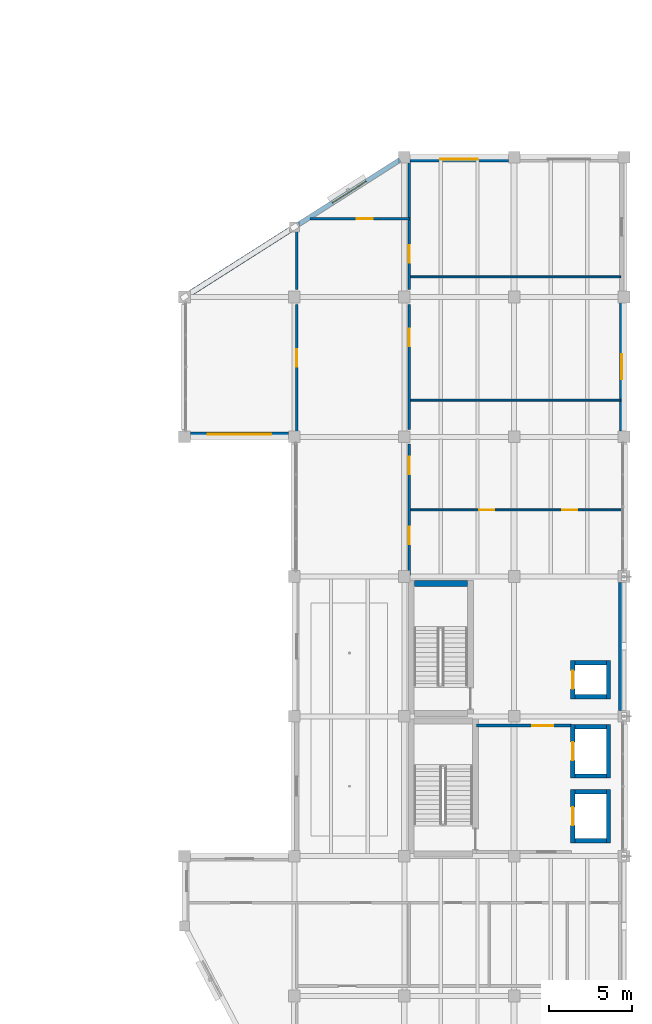
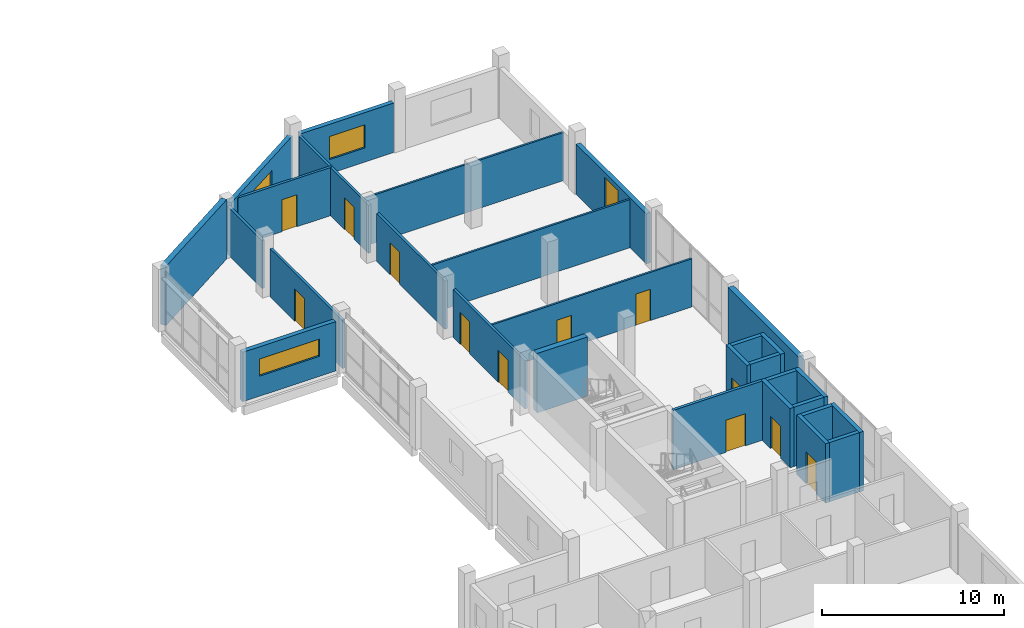
# One storey, part 10 of 19: 29 walls, 12 doors, 4 windows, 16 openings.
"""IFC4 building model written with IfcOpenShell, lengths in metres."""

from ifc_helpers import new_model, si_unit, direction, frame, frame_2d, origin, place, context, subcontext, project, spatial, rectangle, extrude, material, layer, layer_set, type_object, element, fill, save


model = new_model("IFC4")

# Units and contexts
model_context = context("Model", 3, precision=1e-05, world=origin(), true_north=direction((0.0, 1.0)))
body_context = subcontext(model_context, "Body", "Model", "MODEL_VIEW")
ifc_project = project(units=[si_unit("LENGTHUNIT", "METRE"), si_unit("AREAUNIT", "SQUARE_METRE"), si_unit("VOLUMEUNIT", "CUBIC_METRE"), si_unit("PLANEANGLEUNIT", "RADIAN"), si_unit("MASSUNIT", "GRAM", prefix="KILO")], contexts=[model_context])

# Site, building, storey
site_placement = place(None, origin())
site = spatial("IfcSite", under=ifc_project, at=site_placement, CompositionType="ELEMENT")
building_placement = place(site_placement, origin())
building = spatial("IfcBuilding", under=site, at=building_placement, Name="Qaldarim Faculty of Natural and Applied Sciences", CompositionType="ELEMENT")
storey_placement = place(building_placement, frame((0.0, 0.0, 27.0)))
storey = spatial("IfcBuildingStorey", under=building, at=storey_placement, Name="L06", CompositionType="ELEMENT", Elevation=27.0)

# Walls
ifc_material_1 = material(Name="Painted gypsum partition board")
ifc_layer_1 = layer(ifc_material_1, 0.1201171875)
ifc_layer_set_1 = layer_set([ifc_layer_1], Name="Painted gypsum partition board")
wall_type_1 = type_object("IfcWallType", Name="AcousticPartition-120", PredefinedType="PARTITIONING", material=ifc_layer_set_1)
for number, where, z_axis, x_axis, name in (
    (1, (165.300048828125, 44.199951171875, 0.0), (0.0, 0.0, 1.0), (1.0, 0.0, 0.0), "Interior partition PRT-L06-U-D1"),
    (2, (165.300048828125, 51.60009765625, 0.0), (0.0, 0.0, 1.0), (1.0, 0.0, 0.0), "Interior partition PRT-L06-U-D2"),
):
    element("IfcWall", number, at=place(storey_placement, frame(where, z_axis=z_axis, x_axis=x_axis)), inside=storey, type_object=wall_type_1, Name=name, PredefinedType="PARTITIONING", context=body_context, shape_type="SweptSolid", body=[
        extrude(rectangle(XDim=12.699951171875, YDim=0.1201171875, at=frame_2d((6.35009765625, 0.0))), origin(), (0.0, 0.0, 1.0), 3.22998046875),
    ])

# Wall, openings, doors
wall_1_placement = place(storey_placement, frame((165.300048828125, 37.60009765625, 0.0), z_axis=(0.0, 0.0, 1.0), x_axis=(1.0, 0.0, 0.0)))
wall_1 = element("IfcWall", 3, at=wall_1_placement, inside=storey, type_object=wall_type_1, Name="Interior partition PRT-L06-V5-USUB-1", PredefinedType="PARTITIONING", context=body_context, shape_type="SweptSolid", body=[
    extrude(rectangle(XDim=12.75, YDim=0.1201171875, at=frame_2d((6.375, 0.0))), origin(), (0.0, 0.0, 1.0), 3.22998046875),
])
opening_1_placement = place(wall_1_placement, frame((4.199951171875, 0.0, 0.0)))
opening_1 = element("IfcOpeningElement", 4, at=opening_1_placement, cuts=wall_1, Name="Opening ID07", PredefinedType="OPENING", context=body_context, shape_type="SweptSolid", body=[
    extrude(rectangle(XDim=0.89990234375, YDim=2.10009765625, at=frame_2d((0.449951171875, 1.050048828125))), frame((0.0, 0.070068359375, 0.0), z_axis=(0.0, -1.0, 0.0), x_axis=(1.0, 0.0, 0.0)), (0.0, 0.0, 1.0), 0.14013671875),
])
opening_2_placement = place(wall_1_placement, frame((9.199951171875, 0.0, 0.0)))
opening_2 = element("IfcOpeningElement", 5, at=opening_2_placement, cuts=wall_1, Name="Opening ID07", PredefinedType="OPENING", context=body_context, shape_type="SweptSolid", body=[
    extrude(rectangle(XDim=0.89990234375, YDim=2.10009765625, at=frame_2d((0.449951171875, 1.050048828125))), frame((0.0, 0.070068359375, 0.0), z_axis=(0.0, -1.0, 0.0), x_axis=(1.0, 0.0, 0.0)), (0.0, 0.0, 1.0), 0.14013671875),
])
ifc_material_2 = material(Name="Oak hardwood", Category="wood")
door_type_1 = type_object("IfcDoorType", Name="OfficeStudyDoor-900x2100", OperationType="NOTDEFINED", PredefinedType="DOOR", material=ifc_material_2)
door_1_placement = place(opening_1_placement, origin())
door_1 = element("IfcDoor", 6, at=door_1_placement, inside=storey, type_object=door_type_1, Name="Interior door D-L06-354", OperationType="SINGLE_SWING_LEFT", OverallHeight=2.10009765625, OverallWidth=0.89990234375, PredefinedType="DOOR", context=body_context, shape_type="SweptSolid", body=[
    extrude(rectangle(XDim=0.89990234375, YDim=2.10009765625, at=frame_2d((0.449951171875, 1.050048828125))), frame((0.0, 0.02490234375, 0.0), z_axis=(0.0, -1.0, 0.0), x_axis=(1.0, 0.0, 0.0)), (0.0, 0.0, 1.0), 0.050048828125),
])
fill(opening_1, door_1)
door_2_placement = place(opening_2_placement, origin())
door_2 = element("IfcDoor", 7, at=door_2_placement, inside=storey, type_object=door_type_1, Name="Interior door D-L06-355", OperationType="SINGLE_SWING_RIGHT", OverallHeight=2.10009765625, OverallWidth=0.89990234375, PredefinedType="DOOR", context=body_context, shape_type="SweptSolid", body=[
    extrude(rectangle(XDim=0.89990234375, YDim=2.10009765625, at=frame_2d((0.449951171875, 1.050048828125))), frame((0.0, 0.02490234375, 0.0), z_axis=(0.0, -1.0, 0.0), x_axis=(1.0, 0.0, 0.0)), (0.0, 0.0, 1.0), 0.050048828125),
])
fill(opening_2, door_2)

# Wall
ifc_material_3 = material(Name="Concrete C50/60", Category="concrete")
ifc_layer_2 = layer(ifc_material_3, 0.360107421875)
ifc_layer_set_2 = layer_set([ifc_layer_2], Name="Concrete C50/60")
wall_type_2 = type_object("IfcWallType", Name="CoreShearWall-360", PredefinedType="SHEAR", material=ifc_layer_set_2)
wall_2_placement = place(storey_placement, frame((165.60009765625, 33.179931640625, 0.0), z_axis=(0.0, 0.0, 1.0), x_axis=(1.0, 0.0, 0.0)))
element("IfcWall", 8, at=wall_2_placement, inside=storey, type_object=wall_type_2, Name="Core stair ST-A2 north shear wall L06", PredefinedType="SHEAR", context=body_context, shape_type="SweptSolid", body=[
    extrude(rectangle(XDim=3.199951171875, YDim=0.360107421875, at=frame_2d((1.60009765625, 0.0))), origin(), (0.0, 0.0, 1.0), 3.97998046875),
])

# Wall, opening, window
ifc_material_4 = material(Name="Precast concrete C40/50", Category="concrete")
ifc_layer_3 = layer(ifc_material_4, 0.280029296875)
ifc_layer_set_3 = layer_set([ifc_layer_3], Name="Precast concrete C40/50")
wall_type_3 = type_object("IfcWallType", Name="ExteriorSpandrelWall-280", PredefinedType="SOLIDWALL", material=ifc_layer_set_3)
wall_3_placement = place(storey_placement, frame((152.14501953125, 42.139892578125, 0.0), z_axis=(0.0, 0.0, 1.0), x_axis=(1.0, 0.0, 0.0)))
wall_3 = element("IfcWall", 9, at=wall_3_placement, inside=storey, type_object=wall_type_3, Name="Exterior wall EW02 L06 S X24Y06", PredefinedType="SOLIDWALL", context=body_context, shape_type="SweptSolid", body=[
    extrude(rectangle(XDim=5.909912109375, YDim=0.280029296875, at=frame_2d((2.955078125, 0.0))), origin(), (0.0, 0.0, 1.0), 3.31494140625),
])
opening_3_placement = place(wall_3_placement, frame((1.054931640625, 0.0, 1.35009765625)))
opening_3 = element("IfcOpeningElement", 10, at=opening_3_placement, cuts=wall_3, Name="Opening WN24", PredefinedType="OPENING", context=body_context, shape_type="SweptSolid", body=[
    extrude(rectangle(XDim=3.800048828125, YDim=1.14990234375, at=frame_2d((1.89990234375, 0.574951171875))), frame((0.0, 0.14990234375, 0.0), z_axis=(0.0, -1.0, 0.0), x_axis=(1.0, 0.0, 0.0)), (0.0, 0.0, 1.0), 0.300048828125),
])
ifc_material_5 = material(Name="Insulated low-e double glazing", Category="glass")
window_type_1 = type_object("IfcWindowType", Name="ClerestoryWindow-3800x1150", PartitioningType="TRIPLE_PANEL_HORIZONTAL", PredefinedType="WINDOW", material=ifc_material_5)
window_1_placement = place(opening_3_placement, origin())
window_1 = element("IfcWindow", 11, at=window_1_placement, inside=storey, type_object=window_type_1, Name="Facade window WN24 L06 S X24Y06", OverallHeight=1.14990234375, OverallWidth=3.800048828125, PartitioningType="SINGLE_PANEL", PredefinedType="WINDOW", context=body_context, shape_type="SweptSolid", body=[
    extrude(rectangle(XDim=3.800048828125, YDim=1.14990234375, at=frame_2d((1.89990234375, 0.574951171875))), frame((0.0, 0.030029296875, 0.0), z_axis=(0.0, -1.0, 0.0), x_axis=(1.0, 0.0, 0.0)), (0.0, 0.0, 1.0), 0.06005859375),
])
fill(opening_3, window_1)

wall_4_placement = place(storey_placement, frame((171.2548828125, 58.659912109375, 0.0), z_axis=(0.0, 0.0, 1.0), x_axis=(-1.0, 0.0, 0.0)))
wall_4 = element("IfcWall", 12, at=wall_4_placement, inside=storey, type_object=wall_type_3, Name="Exterior wall EW02 L06 N X26Y07", PredefinedType="SOLIDWALL", context=body_context, shape_type="SweptSolid", body=[
    extrude(rectangle(XDim=5.909912109375, YDim=0.280029296875, at=frame_2d((2.955078125, 0.0))), origin(), (0.0, 0.0, 1.0), 3.31494140625),
])
opening_4_placement = place(wall_4_placement, frame((1.830078125, 0.0, 0.949951171875)))
opening_4 = element("IfcOpeningElement", 13, at=opening_4_placement, cuts=wall_4, Name="Opening WN12", PredefinedType="OPENING", context=body_context, shape_type="SweptSolid", body=[
    extrude(rectangle(XDim=2.25, YDim=1.550048828125, at=frame_2d((1.125, 0.77490234375))), frame((0.0, 0.14990234375, 0.0), z_axis=(0.0, -1.0, 0.0), x_axis=(1.0, 0.0, 0.0)), (0.0, 0.0, 1.0), 0.300048828125),
])
window_type_2 = type_object("IfcWindowType", Name="LabWindow-2250x1550", PartitioningType="TRIPLE_PANEL_VERTICAL", PredefinedType="WINDOW", material=ifc_material_5)
window_2_placement = place(opening_4_placement, origin())
window_2 = element("IfcWindow", 14, at=window_2_placement, inside=storey, type_object=window_type_2, Name="Facade window WN12 L06 N X26Y07", OverallHeight=1.550048828125, OverallWidth=2.25, PartitioningType="SINGLE_PANEL", PredefinedType="WINDOW", context=body_context, shape_type="SweptSolid", body=[
    extrude(rectangle(XDim=2.25, YDim=1.550048828125, at=frame_2d((1.125, 0.77490234375))), frame((0.0, 0.030029296875, 0.0), z_axis=(0.0, -1.0, 0.0), x_axis=(1.0, 0.0, 0.0)), (0.0, 0.0, 1.0), 0.06005859375),
])
fill(opening_4, window_2)

wall_5_placement = place(storey_placement, frame((178.06005859375, 42.344970703125, 0.0), z_axis=(0.0, 0.0, 1.0), x_axis=(0.0, 1.0, 0.0)))
wall_5 = element("IfcWall", 15, at=wall_5_placement, inside=storey, type_object=wall_type_3, Name="Exterior wall EW02 L06 E X27Y06", PredefinedType="SOLIDWALL", context=body_context, shape_type="SweptSolid", body=[
    extrude(rectangle(XDim=7.7099609375, YDim=0.280029296875, at=frame_2d((3.85498046875, 0.0))), origin(), (0.0, 0.0, 1.0), 3.364990234375),
])
opening_5_placement = place(wall_5_placement, frame((3.10498046875, 0.0, 0.949951171875)))
opening_5 = element("IfcOpeningElement", 16, at=opening_5_placement, cuts=wall_5, Name="Opening WN06", PredefinedType="OPENING", context=body_context, shape_type="SweptSolid", body=[
    extrude(rectangle(XDim=1.5, YDim=2.10009765625, at=frame_2d((0.75, 1.050048828125))), frame((0.0, 0.14990234375, 0.0), z_axis=(0.0, -1.0, 0.0), x_axis=(1.0, 0.0, 0.0)), (0.0, 0.0, 1.0), 0.300048828125),
])
window_type_3 = type_object("IfcWindowType", Name="Window-1500x2100", PartitioningType="DOUBLE_PANEL_VERTICAL", PredefinedType="WINDOW", material=ifc_material_5)
window_3_placement = place(opening_5_placement, origin())
window_3 = element("IfcWindow", 17, at=window_3_placement, inside=storey, type_object=window_type_3, Name="Facade window WN06 L06 E X27Y06", OverallHeight=2.10009765625, OverallWidth=1.5, PartitioningType="SINGLE_PANEL", PredefinedType="WINDOW", context=body_context, shape_type="SweptSolid", body=[
    extrude(rectangle(XDim=1.5, YDim=2.10009765625, at=frame_2d((0.75, 1.050048828125))), frame((0.0, 0.030029296875, 0.0), z_axis=(0.0, -1.0, 0.0), x_axis=(1.0, 0.0, 0.0)), (0.0, 0.0, 1.0), 0.06005859375),
])
fill(opening_5, window_3)

wall_6_placement = place(storey_placement, frame((158.64990234375, 54.760009765625, 0.0), z_axis=(0.0, 0.0, 1.0), x_axis=(0.843786613851, 0.536678814829, 0.0)))
wall_6 = element("IfcWall", 18, at=wall_6_placement, inside=storey, type_object=wall_type_3, Name="Oblique NW chamfer fenestrated wall L06 2", PredefinedType="SOLIDWALL", context=body_context, shape_type="SweptSolid", body=[
    extrude(rectangle(XDim=7.2294921875, YDim=0.280029296875, at=frame_2d((3.61474609375, 0.0))), origin(), (0.0, 0.0, 1.0), 3.364990234375),
])
opening_6_placement = place(wall_6_placement, frame((2.4150390625, 0.0, 0.949951171875)))
opening_6 = element("IfcOpeningElement", 19, at=opening_6_placement, cuts=wall_6, Name="Opening WN03", PredefinedType="OPENING", context=body_context, shape_type="SweptSolid", body=[
    extrude(rectangle(XDim=2.39990234375, YDim=1.60009765625, at=frame_2d((1.199951171875, 0.800048828125))), frame((0.0, 0.14990234375, 0.0), z_axis=(0.0, -1.0, 0.0), x_axis=(1.0, 0.0, 0.0)), (0.0, 0.0, 1.0), 0.300048828125),
])
window_type_4 = type_object("IfcWindowType", Name="Window-2400x1600", PartitioningType="TRIPLE_PANEL_VERTICAL", PredefinedType="WINDOW", material=ifc_material_5)
window_4_placement = place(opening_6_placement, origin())
window_4 = element("IfcWindow", 20, at=window_4_placement, inside=storey, type_object=window_type_4, Name="Oblique NW chamfer window L06 2", OverallHeight=1.60009765625, OverallWidth=2.39990234375, PartitioningType="SINGLE_PANEL", PredefinedType="WINDOW", context=body_context, shape_type="SweptSolid", body=[
    extrude(rectangle(XDim=2.39990234375, YDim=1.60009765625, at=frame_2d((1.199951171875, 0.800048828125))), frame((0.0, 0.030029296875, 0.0), z_axis=(0.0, -1.0, 0.0), x_axis=(1.0, 0.0, 0.0)), (0.0, 0.0, 1.0), 0.06005859375),
])
fill(opening_6, window_4)

# Walls
ifc_layer_4 = layer(ifc_material_3, 0.340087890625)
ifc_layer_set_4 = layer_set([ifc_layer_4], Name="Concrete C50/60")
wall_type_4 = type_object("IfcWallType", Name="ExteriorStairShearWall-340", PredefinedType="SHEAR", material=ifc_layer_set_4)
wall_7_placement = place(storey_placement, frame((178.030029296875, 25.544921875, 0.0), z_axis=(0.0, 0.0, 1.0), x_axis=(0.0, 1.0, 0.0)))
element("IfcWall", 21, at=wall_7_placement, inside=storey, type_object=wall_type_4, Name="Exterior wall EW05 L06 E X27Y04", PredefinedType="SHEAR", context=body_context, shape_type="SweptSolid", body=[
    extrude(rectangle(XDim=7.7099609375, YDim=0.340087890625, at=frame_2d((3.85498046875, 0.0))), origin(), (0.0, 0.0, 1.0), 3.97998046875),
])
wall_8_placement = place(storey_placement, frame((152.050048828125, 50.56005859375, 0.0), z_axis=(0.0, 0.0, 1.0), x_axis=(0.843776886751, 0.536694107835, 0.0)))
element("IfcWall", 22, at=wall_8_placement, inside=storey, type_object=wall_type_4, Name="Oblique NW chamfer braced wall L06 1", PredefinedType="SHEAR", context=body_context, shape_type="SweptSolid", body=[
    extrude(rectangle(XDim=7.229248046875, YDim=0.340087890625, at=frame_2d((3.61474609375, 0.0))), origin(), (0.0, 0.0, 1.0), 3.97998046875),
])

# Wall, openings, doors
ifc_material_6 = material(Name="Concrete C40/50", Category="concrete")
ifc_layer_5 = layer(ifc_material_6, 0.159912109375)
ifc_layer_set_5 = layer_set([ifc_layer_5], Name="Concrete C40/50")
wall_type_5 = type_object("IfcWallType", Name="FireCorridorWall-160", PredefinedType="PARTITIONING", material=ifc_layer_set_5)
wall_9_placement = place(storey_placement, frame((165.300048828125, 33.64990234375, 0.0), z_axis=(0.0, 0.0, 1.0), x_axis=(0.0, 1.0, 0.0)))
wall_9 = element("IfcWall", 23, at=wall_9_placement, inside=storey, type_object=wall_type_5, Name="Interior partition PRT-L06-U-NW-S1", PredefinedType="PARTITIONING", context=body_context, shape_type="SweptSolid", body=[
    extrude(rectangle(XDim=7.900146484375, YDim=0.159912109375, at=frame_2d((3.9501953125, 0.0))), origin(), (0.0, 0.0, 1.0), 3.22998046875),
])
opening_7_placement = place(wall_9_placement, frame((1.89990234375, 0.0, 0.0)))
opening_7 = element("IfcOpeningElement", 24, at=opening_7_placement, cuts=wall_9, Name="Opening ID02", PredefinedType="OPENING", context=body_context, shape_type="SweptSolid", body=[
    extrude(rectangle(XDim=1.050048828125, YDim=2.14990234375, at=frame_2d((0.52490234375, 1.074951171875))), frame((0.0, 0.08984375, 0.0), z_axis=(0.0, -1.0, 0.0), x_axis=(1.0, 0.0, 0.0)), (0.0, 0.0, 1.0), 0.179931640625),
])
opening_8_placement = place(wall_9_placement, frame((6.10009765625, 0.0, 0.0)))
opening_8 = element("IfcOpeningElement", 25, at=opening_8_placement, cuts=wall_9, Name="Opening ID02", PredefinedType="OPENING", context=body_context, shape_type="SweptSolid", body=[
    extrude(rectangle(XDim=1.050048828125, YDim=2.14990234375, at=frame_2d((0.52490234375, 1.074951171875))), frame((0.0, 0.08984375, 0.0), z_axis=(0.0, -1.0, 0.0), x_axis=(1.0, 0.0, 0.0)), (0.0, 0.0, 1.0), 0.179931640625),
])
door_type_2 = type_object("IfcDoorType", Name="AccessibleRoomDoor-1050x2150", OperationType="NOTDEFINED", PredefinedType="DOOR", material=ifc_material_2)
door_3_placement = place(opening_7_placement, origin())
door_3 = element("IfcDoor", 26, at=door_3_placement, inside=storey, type_object=door_type_2, Name="Interior door D-L06-266", OperationType="SINGLE_SWING_LEFT", OverallHeight=2.14990234375, OverallWidth=1.050048828125, PredefinedType="DOOR", context=body_context, shape_type="SweptSolid", body=[
    extrude(rectangle(XDim=1.050048828125, YDim=2.14990234375, at=frame_2d((0.52490234375, 1.074951171875))), frame((0.0, 0.02490234375, 0.0), z_axis=(0.0, -1.0, 0.0), x_axis=(1.0, 0.0, 0.0)), (0.0, 0.0, 1.0), 0.050048828125),
])
fill(opening_7, door_3)
door_4_placement = place(opening_8_placement, origin())
door_4 = element("IfcDoor", 27, at=door_4_placement, inside=storey, type_object=door_type_2, Name="Interior door D-L06-267", OperationType="SINGLE_SWING_RIGHT", OverallHeight=2.14990234375, OverallWidth=1.050048828125, PredefinedType="DOOR", context=body_context, shape_type="SweptSolid", body=[
    extrude(rectangle(XDim=1.050048828125, YDim=2.14990234375, at=frame_2d((0.52490234375, 1.074951171875))), frame((0.0, 0.02490234375, 0.0), z_axis=(0.0, -1.0, 0.0), x_axis=(1.0, 0.0, 0.0)), (0.0, 0.0, 1.0), 0.050048828125),
])
fill(opening_8, door_4)

# Wall, opening, door
wall_10_placement = place(storey_placement, frame((165.300048828125, 42.449951171875, 0.0), z_axis=(0.0, 0.0, 1.0), x_axis=(0.0, 1.0, 0.0)))
wall_10 = element("IfcWall", 28, at=wall_10_placement, inside=storey, type_object=wall_type_5, Name="Interior partition PRT-L06-U-NW-S2", PredefinedType="PARTITIONING", context=body_context, shape_type="SweptSolid", body=[
    extrude(rectangle(XDim=7.5, YDim=0.159912109375, at=frame_2d((3.75, 0.0))), origin(), (0.0, 0.0, 1.0), 3.22998046875),
])
opening_9_placement = place(wall_10_placement, frame((5.0, 0.0, 0.0)))
opening_9 = element("IfcOpeningElement", 29, at=opening_9_placement, cuts=wall_10, Name="Opening ID02", PredefinedType="OPENING", context=body_context, shape_type="SweptSolid", body=[
    extrude(rectangle(XDim=1.050048828125, YDim=2.14990234375, at=frame_2d((0.52490234375, 1.074951171875))), frame((0.0, 0.08984375, 0.0), z_axis=(0.0, -1.0, 0.0), x_axis=(1.0, 0.0, 0.0)), (0.0, 0.0, 1.0), 0.179931640625),
])
door_5_placement = place(opening_9_placement, origin())
door_5 = element("IfcDoor", 30, at=door_5_placement, inside=storey, type_object=door_type_2, Name="Interior door D-L06-268", OperationType="SINGLE_SWING_LEFT", OverallHeight=2.14990234375, OverallWidth=1.050048828125, PredefinedType="DOOR", context=body_context, shape_type="SweptSolid", body=[
    extrude(rectangle(XDim=1.050048828125, YDim=2.14990234375, at=frame_2d((0.52490234375, 1.074951171875))), frame((0.0, 0.02490234375, 0.0), z_axis=(0.0, -1.0, 0.0), x_axis=(1.0, 0.0, 0.0)), (0.0, 0.0, 1.0), 0.050048828125),
])
fill(opening_9, door_5)

wall_11_placement = place(storey_placement, frame((165.300048828125, 50.85009765625, 0.0), z_axis=(0.0, 0.0, 1.0), x_axis=(0.0, 1.0, 0.0)))
wall_11 = element("IfcWall", 31, at=wall_11_placement, inside=storey, type_object=wall_type_5, Name="Interior partition PRT-L06-U-NW-S3", PredefinedType="PARTITIONING", context=body_context, shape_type="SweptSolid", body=[
    extrude(rectangle(XDim=7.64990234375, YDim=0.159912109375, at=frame_2d((3.824951171875, 0.0))), origin(), (0.0, 0.0, 1.0), 3.22998046875),
])
opening_10_placement = place(wall_11_placement, frame((1.60009765625, 0.0, 0.0)))
opening_10 = element("IfcOpeningElement", 32, at=opening_10_placement, cuts=wall_11, Name="Opening ID02", PredefinedType="OPENING", context=body_context, shape_type="SweptSolid", body=[
    extrude(rectangle(XDim=1.050048828125, YDim=2.14990234375, at=frame_2d((0.52490234375, 1.074951171875))), frame((0.0, 0.08984375, 0.0), z_axis=(0.0, -1.0, 0.0), x_axis=(1.0, 0.0, 0.0)), (0.0, 0.0, 1.0), 0.179931640625),
])
door_6_placement = place(opening_10_placement, origin())
door_6 = element("IfcDoor", 33, at=door_6_placement, inside=storey, type_object=door_type_2, Name="Interior door D-L06-269", OperationType="SINGLE_SWING_RIGHT", OverallHeight=2.14990234375, OverallWidth=1.050048828125, PredefinedType="DOOR", context=body_context, shape_type="SweptSolid", body=[
    extrude(rectangle(XDim=1.050048828125, YDim=2.14990234375, at=frame_2d((0.52490234375, 1.074951171875))), frame((0.0, 0.02490234375, 0.0), z_axis=(0.0, -1.0, 0.0), x_axis=(1.0, 0.0, 0.0)), (0.0, 0.0, 1.0), 0.050048828125),
])
fill(opening_10, door_6)

wall_12_placement = place(storey_placement, frame((158.550048828125, 42.0, 0.0), z_axis=(0.0, 0.0, 1.0), x_axis=(0.0, 1.0, 0.0)))
wall_12 = element("IfcWall", 34, at=wall_12_placement, inside=storey, type_object=wall_type_5, Name="Interior partition PRT-L06-V5-NWSE-S1", PredefinedType="PARTITIONING", context=body_context, shape_type="SweptSolid", body=[
    extrude(rectangle(XDim=7.949951171875, YDim=0.159912109375, at=frame_2d((3.97509765625, 0.0))), origin(), (0.0, 0.0, 1.0), 3.22998046875),
])
opening_11_placement = place(wall_12_placement, frame((4.199951171875, 0.0, 0.0)))
opening_11 = element("IfcOpeningElement", 35, at=opening_11_placement, cuts=wall_12, Name="Opening ID02", PredefinedType="OPENING", context=body_context, shape_type="SweptSolid", body=[
    extrude(rectangle(XDim=1.050048828125, YDim=2.14990234375, at=frame_2d((0.52490234375, 1.074951171875))), frame((0.0, 0.08984375, 0.0), z_axis=(0.0, -1.0, 0.0), x_axis=(1.0, 0.0, 0.0)), (0.0, 0.0, 1.0), 0.179931640625),
])
door_7_placement = place(opening_11_placement, origin())
door_7 = element("IfcDoor", 36, at=door_7_placement, inside=storey, type_object=door_type_2, Name="Interior door D-L06-402", OperationType="SINGLE_SWING_LEFT", OverallHeight=2.14990234375, OverallWidth=1.050048828125, PredefinedType="DOOR", context=body_context, shape_type="SweptSolid", body=[
    extrude(rectangle(XDim=1.050048828125, YDim=2.14990234375, at=frame_2d((0.52490234375, 1.074951171875))), frame((0.0, 0.02490234375, 0.0), z_axis=(0.0, -1.0, 0.0), x_axis=(1.0, 0.0, 0.0)), (0.0, 0.0, 1.0), 0.050048828125),
])
fill(opening_11, door_7)

# Wall
wall_13_placement = place(storey_placement, frame((158.550048828125, 50.85009765625, 0.0), z_axis=(0.0, 0.0, 1.0), x_axis=(0.0, 1.0, 0.0)))
element("IfcWall", 37, at=wall_13_placement, inside=storey, type_object=wall_type_5, Name="Interior partition PRT-L06-V5-NWSE-S2", PredefinedType="PARTITIONING", context=body_context, shape_type="SweptSolid", body=[
    extrude(rectangle(XDim=3.7998046875, YDim=0.159912109375, at=frame_2d((1.89990234375, 0.0))), origin(), (0.0, 0.0, 1.0), 3.22998046875),
])

# Wall, opening, door
wall_14_placement = place(storey_placement, frame((159.35009765625, 55.10009765625, 0.0), z_axis=(0.0, 0.0, 1.0), x_axis=(1.0, 0.0, 0.0)))
wall_14 = element("IfcWall", 38, at=wall_14_placement, inside=storey, type_object=wall_type_5, Name="Interior partition PRT-L06-V5-NWRS", PredefinedType="PARTITIONING", context=body_context, shape_type="SweptSolid", body=[
    extrude(rectangle(XDim=5.949951171875, YDim=0.159912109375, at=frame_2d((2.97509765625, 0.0))), origin(), (0.0, 0.0, 1.0), 3.22998046875),
])
opening_12_placement = place(wall_14_placement, frame((2.800048828125, 0.0, 0.0)))
opening_12 = element("IfcOpeningElement", 39, at=opening_12_placement, cuts=wall_14, Name="Opening ID01", PredefinedType="OPENING", context=body_context, shape_type="SweptSolid", body=[
    extrude(rectangle(XDim=0.949951171875, YDim=2.14990234375, at=frame_2d((0.47509765625, 1.074951171875))), frame((0.0, 0.08984375, 0.0), z_axis=(0.0, -1.0, 0.0), x_axis=(1.0, 0.0, 0.0)), (0.0, 0.0, 1.0), 0.179931640625),
])
door_type_3 = type_object("IfcDoorType", Name="SingleRoomDoor-950x2150", OperationType="NOTDEFINED", PredefinedType="DOOR", material=ifc_material_2)
door_8_placement = place(opening_12_placement, origin())
door_8 = element("IfcDoor", 40, at=door_8_placement, inside=storey, type_object=door_type_3, Name="Interior door D-L06-403", OperationType="SINGLE_SWING_LEFT", OverallHeight=2.14990234375, OverallWidth=0.949951171875, PredefinedType="DOOR", context=body_context, shape_type="SweptSolid", body=[
    extrude(rectangle(XDim=0.949951171875, YDim=2.14990234375, at=frame_2d((0.47509765625, 1.074951171875))), frame((0.0, 0.02490234375, 0.0), z_axis=(0.0, -1.0, 0.0), x_axis=(1.0, 0.0, 0.0)), (0.0, 0.0, 1.0), 0.050048828125),
])
fill(opening_12, door_8)

ifc_layer_6 = layer(ifc_material_6, 0.179931640625)
ifc_layer_set_6 = layer_set([ifc_layer_6], Name="Concrete C40/50")
wall_type_6 = type_object("IfcWallType", Name="LabFireCompartmentWall-180", PredefinedType="SOLIDWALL", material=ifc_layer_set_6)
wall_15_placement = place(storey_placement, frame((169.35009765625, 24.639892578125, 0.0), z_axis=(0.0, 0.0, 1.0), x_axis=(1.0, 0.0, 0.0)))
wall_15 = element("IfcWall", 41, at=wall_15_placement, inside=storey, type_object=wall_type_6, Name="Fire-fighting lobby compartment wall Core A L06", PredefinedType="SOLIDWALL", context=body_context, shape_type="SweptSolid", body=[
    extrude(rectangle(XDim=5.699951171875, YDim=0.179931640625, at=frame_2d((2.85009765625, 0.0))), origin(), (0.0, 0.0, 1.0), 3.97998046875),
])
opening_13_placement = place(wall_15_placement, frame((3.35009765625, 0.0, 0.0)))
opening_13 = element("IfcOpeningElement", 42, at=opening_13_placement, cuts=wall_15, Name="Opening ID04", PredefinedType="OPENING", context=body_context, shape_type="SweptSolid", body=[
    extrude(rectangle(XDim=1.25, YDim=2.14990234375, at=frame_2d((0.625, 1.074951171875))), frame((0.0, 0.099853515625, 0.0), z_axis=(0.0, -1.0, 0.0), x_axis=(1.0, 0.0, 0.0)), (0.0, 0.0, 1.0), 0.199951171875),
])
ifc_material_7 = material(Name="Architectural stainless steel 316", Category="steel")
door_type_4 = type_object("IfcDoorType", Name="StairEnclosureFireDoor-1250x2150", OperationType="NOTDEFINED", PredefinedType="DOOR", material=ifc_material_7)
door_9_placement = place(opening_13_placement, frame((1.25, 0.0, 0.0), z_axis=(0.0, 0.0, 1.0), x_axis=(-1.0, 0.0, 0.0)))
door_9 = element("IfcDoor", 43, at=door_9_placement, inside=storey, type_object=door_type_4, Name="Fire-fighting lobby door Core A D-L06-610", OperationType="SINGLE_SWING_RIGHT", OverallHeight=2.14990234375, OverallWidth=1.25, PredefinedType="DOOR", context=body_context, shape_type="SweptSolid", body=[
    extrude(rectangle(XDim=1.25, YDim=2.14990234375, at=frame_2d((0.625, 1.074951171875))), frame((0.0, 0.02490234375, 0.0), z_axis=(0.0, -1.0, 0.0), x_axis=(1.0, 0.0, 0.0)), (0.0, 0.0, 1.0), 0.050048828125),
])
fill(opening_13, door_9)

ifc_layer_7 = layer(ifc_material_6, 0.25)
ifc_layer_set_7 = layer_set([ifc_layer_7], Name="Concrete C40/50")
wall_type_7 = type_object("IfcWallType", Name="LiftShaftWall-250", PredefinedType="SHEAR", material=ifc_layer_set_7)
wall_16_placement = place(storey_placement, frame((175.125, 17.60009765625, 0.0), z_axis=(0.0, 0.0, 1.0), x_axis=(0.0, 1.0, 0.0)))
wall_16 = element("IfcWall", 44, at=wall_16_placement, inside=storey, type_object=wall_type_7, Name="Lift LF-A1 front shaft wall L06", PredefinedType="SHEAR", context=body_context, shape_type="SweptSolid", body=[
    extrude(rectangle(XDim=3.199951171875, YDim=0.25, at=frame_2d((1.60009765625, 0.0))), origin(), (0.0, 0.0, 1.0), 3.97998046875),
])
opening_14_placement = place(wall_16_placement, frame((1.050048828125, 0.0, 0.0)))
opening_14 = element("IfcOpeningElement", 45, at=opening_14_placement, cuts=wall_16, Name="Opening LD01", PredefinedType="OPENING", context=body_context, shape_type="SweptSolid", body=[
    extrude(rectangle(XDim=1.10009765625, YDim=2.14990234375, at=frame_2d((0.550048828125, 1.074951171875))), frame((0.0, 0.135009765625, 0.0), z_axis=(0.0, -1.0, 0.0), x_axis=(1.0, 0.0, 0.0)), (0.0, 0.0, 1.0), 0.27001953125),
])
door_type_5 = type_object("IfcDoorType", Name="LiftLandingSlidingDoor-1100x2150", OperationType="NOTDEFINED", PredefinedType="DOOR", material=ifc_material_7)
door_10_placement = place(opening_14_placement, origin())
door_10 = element("IfcDoor", 46, at=door_10_placement, inside=storey, type_object=door_type_5, Name="Lift landing sliding door LF-A1 D-L06-564", OperationType="SLIDING_TO_LEFT", OverallHeight=2.14990234375, OverallWidth=1.10009765625, PredefinedType="DOOR", context=body_context, shape_type="SweptSolid", body=[
    extrude(rectangle(XDim=1.10009765625, YDim=2.14990234375, at=frame_2d((0.550048828125, 1.074951171875))), frame((0.0, 0.02490234375, 0.0), z_axis=(0.0, -1.0, 0.0), x_axis=(1.0, 0.0, 0.0)), (0.0, 0.0, 1.0), 0.050048828125),
])
fill(opening_14, door_10)

# Walls
wall_17_placement = place(storey_placement, frame((177.27490234375, 17.60009765625, 0.0), z_axis=(0.0, 0.0, 1.0), x_axis=(0.0, 1.0, 0.0)))
element("IfcWall", 47, at=wall_17_placement, inside=storey, type_object=wall_type_7, Name="Lift LF-A1 rear shaft wall L06", PredefinedType="SHEAR", context=body_context, shape_type="SweptSolid", body=[
    extrude(rectangle(XDim=3.199951171875, YDim=0.25, at=frame_2d((1.60009765625, 0.0))), origin(), (0.0, 0.0, 1.0), 3.97998046875),
])
for number, where, z_axis, x_axis, name in (
    (48, (175.25, 17.72509765625, 0.0), (0.0, 0.0, 1.0), (1.0, 0.0, 0.0), "Lift LF-A1 south shaft wall L06"),
    (49, (175.25, 20.675048828125, 0.0), (0.0, 0.0, 1.0), (1.0, 0.0, 0.0), "Lift LF-A1 north shaft wall L06"),
):
    element("IfcWall", number, at=place(storey_placement, frame(where, z_axis=z_axis, x_axis=x_axis)), inside=storey, type_object=wall_type_7, Name=name, PredefinedType="SHEAR", context=body_context, shape_type="SweptSolid", body=[
        extrude(rectangle(XDim=1.89990234375, YDim=0.25, at=frame_2d((0.949951171875, 0.0))), origin(), (0.0, 0.0, 1.0), 3.97998046875),
    ])

# Wall, opening, door
wall_18_placement = place(storey_placement, frame((175.125, 21.5, 0.0), z_axis=(0.0, 0.0, 1.0), x_axis=(0.0, 1.0, 0.0)))
wall_18 = element("IfcWall", 50, at=wall_18_placement, inside=storey, type_object=wall_type_7, Name="Lift LF-A2 front shaft wall L06", PredefinedType="SHEAR", context=body_context, shape_type="SweptSolid", body=[
    extrude(rectangle(XDim=3.199951171875, YDim=0.25, at=frame_2d((1.60009765625, 0.0))), origin(), (0.0, 0.0, 1.0), 3.97998046875),
])
opening_15_placement = place(wall_18_placement, frame((1.050048828125, 0.0, 0.0)))
opening_15 = element("IfcOpeningElement", 51, at=opening_15_placement, cuts=wall_18, Name="Opening LD01", PredefinedType="OPENING", context=body_context, shape_type="SweptSolid", body=[
    extrude(rectangle(XDim=1.10009765625, YDim=2.14990234375, at=frame_2d((0.550048828125, 1.074951171875))), frame((0.0, 0.135009765625, 0.0), z_axis=(0.0, -1.0, 0.0), x_axis=(1.0, 0.0, 0.0)), (0.0, 0.0, 1.0), 0.27001953125),
])
door_11_placement = place(opening_15_placement, origin())
door_11 = element("IfcDoor", 52, at=door_11_placement, inside=storey, type_object=door_type_5, Name="Lift landing sliding door LF-A2 D-L06-577", OperationType="SLIDING_TO_LEFT", OverallHeight=2.14990234375, OverallWidth=1.10009765625, PredefinedType="DOOR", context=body_context, shape_type="SweptSolid", body=[
    extrude(rectangle(XDim=1.10009765625, YDim=2.14990234375, at=frame_2d((0.550048828125, 1.074951171875))), frame((0.0, 0.02490234375, 0.0), z_axis=(0.0, -1.0, 0.0), x_axis=(1.0, 0.0, 0.0)), (0.0, 0.0, 1.0), 0.050048828125),
])
fill(opening_15, door_11)

# Walls
wall_19_placement = place(storey_placement, frame((177.27490234375, 21.5, 0.0), z_axis=(0.0, 0.0, 1.0), x_axis=(0.0, 1.0, 0.0)))
element("IfcWall", 53, at=wall_19_placement, inside=storey, type_object=wall_type_7, Name="Lift LF-A2 rear shaft wall L06", PredefinedType="SHEAR", context=body_context, shape_type="SweptSolid", body=[
    extrude(rectangle(XDim=3.199951171875, YDim=0.25, at=frame_2d((1.60009765625, 0.0))), origin(), (0.0, 0.0, 1.0), 3.97998046875),
])
for number, where, z_axis, x_axis, name in (
    (54, (175.25, 21.625, 0.0), (0.0, 0.0, 1.0), (1.0, 0.0, 0.0), "Lift LF-A2 south shaft wall L06"),
    (55, (175.25, 24.574951171875, 0.0), (0.0, 0.0, 1.0), (1.0, 0.0, 0.0), "Lift LF-A2 north shaft wall L06"),
):
    element("IfcWall", number, at=place(storey_placement, frame(where, z_axis=z_axis, x_axis=x_axis)), inside=storey, type_object=wall_type_7, Name=name, PredefinedType="SHEAR", context=body_context, shape_type="SweptSolid", body=[
        extrude(rectangle(XDim=1.89990234375, YDim=0.25, at=frame_2d((0.949951171875, 0.0))), origin(), (0.0, 0.0, 1.0), 3.97998046875),
    ])

# Wall, opening, door
wall_20_placement = place(storey_placement, frame((175.125, 26.25, 0.0), z_axis=(0.0, 0.0, 1.0), x_axis=(0.0, 1.0, 0.0)))
wall_20 = element("IfcWall", 56, at=wall_20_placement, inside=storey, type_object=wall_type_7, Name="Lift LF-A3 front shaft wall L06", PredefinedType="SHEAR", context=body_context, shape_type="SweptSolid", body=[
    extrude(rectangle(XDim=2.300048828125, YDim=0.25, at=frame_2d((1.14990234375, 0.0))), origin(), (0.0, 0.0, 1.0), 3.97998046875),
])
opening_16_placement = place(wall_20_placement, frame((0.60009765625, 0.0, 0.0)))
opening_16 = element("IfcOpeningElement", 57, at=opening_16_placement, cuts=wall_20, Name="Opening LD01", PredefinedType="OPENING", context=body_context, shape_type="SweptSolid", body=[
    extrude(rectangle(XDim=1.10009765625, YDim=2.14990234375, at=frame_2d((0.550048828125, 1.074951171875))), frame((0.0, 0.135009765625, 0.0), z_axis=(0.0, -1.0, 0.0), x_axis=(1.0, 0.0, 0.0)), (0.0, 0.0, 1.0), 0.27001953125),
])
door_12_placement = place(opening_16_placement, origin())
door_12 = element("IfcDoor", 58, at=door_12_placement, inside=storey, type_object=door_type_5, Name="Lift landing sliding door LF-A3 D-L06-590", OperationType="SLIDING_TO_LEFT", OverallHeight=2.14990234375, OverallWidth=1.10009765625, PredefinedType="DOOR", context=body_context, shape_type="SweptSolid", body=[
    extrude(rectangle(XDim=1.10009765625, YDim=2.14990234375, at=frame_2d((0.550048828125, 1.074951171875))), frame((0.0, 0.02490234375, 0.0), z_axis=(0.0, -1.0, 0.0), x_axis=(1.0, 0.0, 0.0)), (0.0, 0.0, 1.0), 0.050048828125),
])
fill(opening_16, door_12)

# Walls
wall_21_placement = place(storey_placement, frame((177.27490234375, 26.25, 0.0), z_axis=(0.0, 0.0, 1.0), x_axis=(0.0, 1.0, 0.0)))
element("IfcWall", 59, at=wall_21_placement, inside=storey, type_object=wall_type_7, Name="Lift LF-A3 rear shaft wall L06", PredefinedType="SHEAR", context=body_context, shape_type="SweptSolid", body=[
    extrude(rectangle(XDim=2.300048828125, YDim=0.25, at=frame_2d((1.14990234375, 0.0))), origin(), (0.0, 0.0, 1.0), 3.97998046875),
])
for number, where, z_axis, x_axis, name in (
    (60, (175.25, 26.375, 0.0), (0.0, 0.0, 1.0), (1.0, 0.0, 0.0), "Lift LF-A3 south shaft wall L06"),
    (61, (175.25, 28.425048828125, 0.0), (0.0, 0.0, 1.0), (1.0, 0.0, 0.0), "Lift LF-A3 north shaft wall L06"),
):
    element("IfcWall", number, at=place(storey_placement, frame(where, z_axis=z_axis, x_axis=x_axis)), inside=storey, type_object=wall_type_7, Name=name, PredefinedType="SHEAR", context=body_context, shape_type="SweptSolid", body=[
        extrude(rectangle(XDim=1.89990234375, YDim=0.25, at=frame_2d((0.949951171875, 0.0))), origin(), (0.0, 0.0, 1.0), 3.97998046875),
    ])

save(model, "model.ifc")
